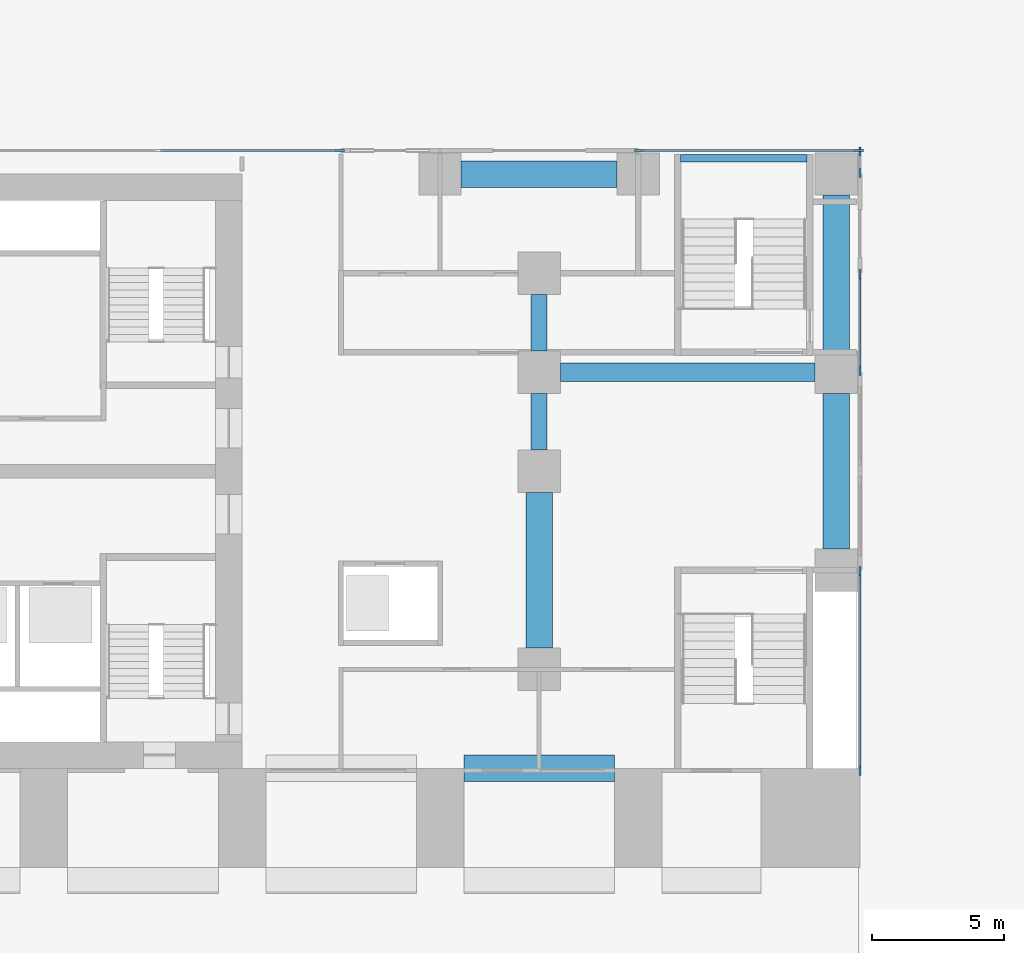
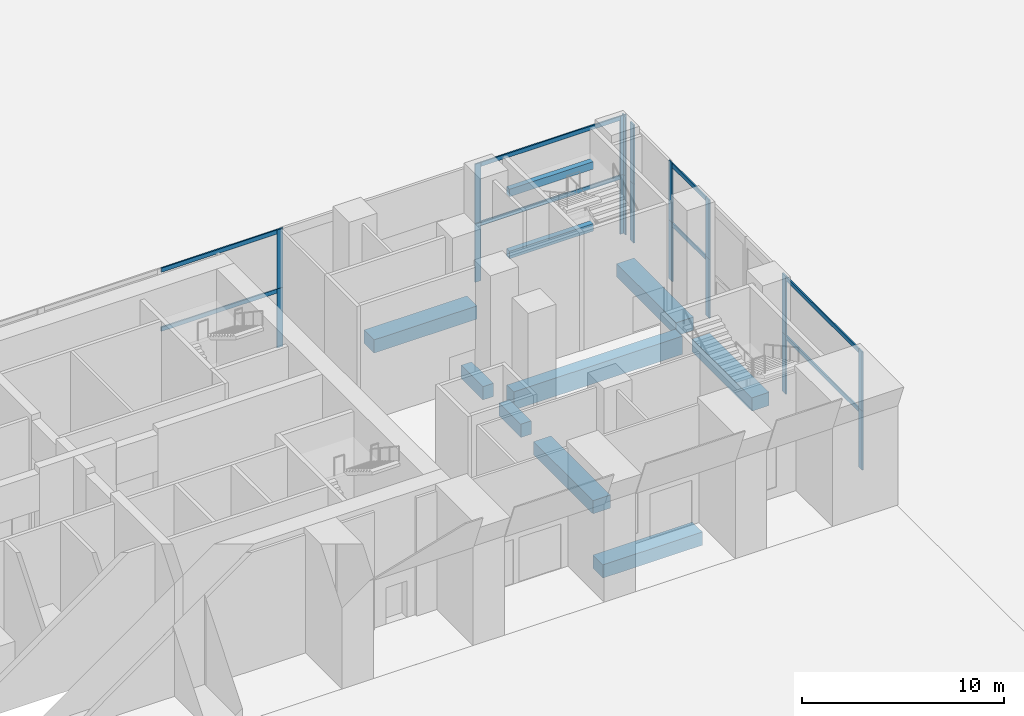
# One storey, part 5 of 21: 26 members, 10 beams, 10 elements without a shape of their own.
"""IFC4 building model written with IfcOpenShell, lengths in metres."""

from ifc_helpers import new_model, si_unit, direction, frame, origin, origin_2d, place, context, subcontext, project, spatial, rectangle, extrude, material, material_profile, profile_set, type_object, element, aggregate, save


model = new_model("IFC4")

# Units and contexts
model_context = context("Model", 3, precision=1e-05, world=origin(), true_north=direction((0.0, 1.0)))
body_context = subcontext(model_context, "Body", "Model", "MODEL_VIEW")
ifc_project = project(units=[si_unit("LENGTHUNIT", "METRE"), si_unit("AREAUNIT", "SQUARE_METRE"), si_unit("VOLUMEUNIT", "CUBIC_METRE"), si_unit("PLANEANGLEUNIT", "RADIAN"), si_unit("MASSUNIT", "GRAM", prefix="KILO")], contexts=[model_context])

# Site, building, storey
site_placement = place(None, origin())
site = spatial("IfcSite", under=ifc_project, at=site_placement, CompositionType="ELEMENT")
building_placement = place(site_placement, origin())
building = spatial("IfcBuilding", under=site, at=building_placement, Name="Pilkhan Gate Tower", CompositionType="ELEMENT")
storey_placement = place(building_placement, origin())
storey = spatial("IfcBuildingStorey", under=building, at=storey_placement, Name="L00", CompositionType="ELEMENT", Elevation=0.0)

# Beams
ifc_material_1 = material(Name="Concrete C50/60", Category="concrete")
ifc_material_profile_1 = material_profile(ifc_material_1, rectangle(XDim=0.300048828125, YDim=0.449951171875, at=origin_2d()), Name="RC 300x450")
ifc_profile_set_1 = profile_set([ifc_material_profile_1], Name="Concrete C50/60")
beam_type_1 = type_object("IfcBeamType", Name="Landing support beam LB RC 300x450 C50/60", PredefinedType="BEAM", material=ifc_profile_set_1)
for number, where, z_axis, x_axis, name in (
    (1, (106.60498046875, 94.35009765625, 1.300048828125), (1.0, 0.0, 0.0), (0.0, 1.0, 0.0), "Landing support beam PS2-1 L00"),
    (2, (106.60498046875, 94.35009765625, 5.050048828125), (1.0, 0.0, 0.0), (0.0, 1.0, 0.0), "Landing support beam PS2-3 L00"),
):
    element("IfcBeam", number, at=place(storey_placement, frame(where, z_axis=z_axis, x_axis=x_axis)), inside=storey, type_object=beam_type_1, Name=name, PredefinedType="BEAM", context=body_context, shape_type="SweptSolid", body=[
        extrude(rectangle(XDim=0.300048828125, YDim=0.449951171875, at=origin_2d()), origin(), (0.0, 0.0, 1.0), 4.7900390625),
    ])

# Curtain wall, members
ifc_material_2 = material(Name="Pale anodised aluminium, clear low-iron laminated glazing", Category="aluminium")
curtain_wall_type = type_object("IfcCurtainWallType", Name="Podium unitised curtain wall CW-P", PredefinedType="USERDEFINED", material=ifc_material_2)
curtain_wall_1_placement = place(storey_placement, origin())
curtain_wall_1 = element("IfcCurtainWall", 3, at=curtain_wall_1_placement, inside=storey, type_object=curtain_wall_type, Name="Podium unitised curtain wall CW-P L00 E", ObjectType="UNITISED CURTAIN WALL", PredefinedType="USERDEFINED")
ifc_material_3 = material(Name="Pale anodised aluminium", Category="aluminium")
ifc_material_profile_2 = material_profile(ifc_material_3, rectangle(XDim=0.080078125, YDim=0.35009765625, at=origin_2d()), Name="Mullion 350x80")
ifc_profile_set_2 = profile_set([ifc_material_profile_2], Name="Pale anodised aluminium")
member_type_1 = type_object("IfcMemberType", Name="Mullion CW-P 350x80", PredefinedType="MULLION", material=ifc_profile_set_2)
member_1_placement = place(storey_placement, frame((113.39501953125, 71.14501953125, 0.0), z_axis=(0.0, 0.0, 1.0), x_axis=(-1.0, 0.0, 0.0)))
member_1 = element("IfcMember", 4, at=member_1_placement, type_object=member_type_1, Name="CW-P mullion 1", PredefinedType="MULLION", context=body_context, shape_type="SweptSolid", body=[
    extrude(rectangle(XDim=0.080078125, YDim=0.35009765625, at=origin_2d()), origin(), (0.0, 0.0, 1.0), 3.574951171875),
])
member_2_placement = place(storey_placement, frame((113.39501953125, 78.7099609375, 0.0), z_axis=(0.0, 0.0, 1.0), x_axis=(-1.0, 0.0, 0.0)))
member_2 = element("IfcMember", 5, at=member_2_placement, type_object=member_type_1, Name="CW-P mullion 2", PredefinedType="MULLION", context=body_context, shape_type="SweptSolid", body=[
    extrude(rectangle(XDim=0.080078125, YDim=0.35009765625, at=origin_2d()), origin(), (0.0, 0.0, 1.0), 3.574951171875),
])

curtain_wall_2_placement = place(storey_placement, origin())
curtain_wall_2 = element("IfcCurtainWall", 6, at=curtain_wall_2_placement, inside=storey, type_object=curtain_wall_type, Name="Podium unitised curtain wall CW-P L00 E", ObjectType="UNITISED CURTAIN WALL", PredefinedType="USERDEFINED")
member_3_placement = place(storey_placement, frame((113.39501953125, 71.14501953125, 3.574951171875), z_axis=(0.0, 0.0, 1.0), x_axis=(-1.0, 0.0, 0.0)))
member_3 = element("IfcMember", 7, at=member_3_placement, type_object=member_type_1, Name="CW-P mullion 1", PredefinedType="MULLION", context=body_context, shape_type="SweptSolid", body=[
    extrude(rectangle(XDim=0.080078125, YDim=0.35009765625, at=origin_2d()), origin(), (0.0, 0.0, 1.0), 3.574951171875),
])
member_4_placement = place(storey_placement, frame((113.39501953125, 78.7099609375, 3.574951171875), z_axis=(0.0, 0.0, 1.0), x_axis=(-1.0, 0.0, 0.0)))
member_4 = element("IfcMember", 8, at=member_4_placement, type_object=member_type_1, Name="CW-P mullion 2", PredefinedType="MULLION", context=body_context, shape_type="SweptSolid", body=[
    extrude(rectangle(XDim=0.080078125, YDim=0.35009765625, at=origin_2d()), origin(), (0.0, 0.0, 1.0), 3.574951171875),
])

curtain_wall_3_placement = place(storey_placement, origin())
curtain_wall_3 = element("IfcCurtainWall", 9, at=curtain_wall_3_placement, inside=storey, type_object=curtain_wall_type, Name="Podium unitised curtain wall CW-P L00 E", ObjectType="UNITISED CURTAIN WALL", PredefinedType="USERDEFINED")
member_5_placement = place(storey_placement, frame((113.39501953125, 86.2900390625, 0.0), z_axis=(0.0, 0.0, 1.0), x_axis=(-1.0, 0.0, 0.0)))
member_5 = element("IfcMember", 10, at=member_5_placement, type_object=member_type_1, Name="CW-P mullion 1", PredefinedType="MULLION", context=body_context, shape_type="SweptSolid", body=[
    extrude(rectangle(XDim=0.080078125, YDim=0.35009765625, at=origin_2d()), origin(), (0.0, 0.0, 1.0), 3.574951171875),
])
member_6_placement = place(storey_placement, frame((113.39501953125, 89.9599609375, 0.0), z_axis=(0.0, 0.0, 1.0), x_axis=(-1.0, 0.0, 0.0)))
member_6 = element("IfcMember", 11, at=member_6_placement, type_object=member_type_1, Name="CW-P mullion 2", PredefinedType="MULLION", context=body_context, shape_type="SweptSolid", body=[
    extrude(rectangle(XDim=0.080078125, YDim=0.35009765625, at=origin_2d()), origin(), (0.0, 0.0, 1.0), 3.574951171875),
])

curtain_wall_4_placement = place(storey_placement, origin())
curtain_wall_4 = element("IfcCurtainWall", 12, at=curtain_wall_4_placement, inside=storey, type_object=curtain_wall_type, Name="Podium unitised curtain wall CW-P L00 E", ObjectType="UNITISED CURTAIN WALL", PredefinedType="USERDEFINED")
member_7_placement = place(storey_placement, frame((113.39501953125, 86.2900390625, 3.574951171875), z_axis=(0.0, 0.0, 1.0), x_axis=(-1.0, 0.0, 0.0)))
member_7 = element("IfcMember", 13, at=member_7_placement, type_object=member_type_1, Name="CW-P mullion 1", PredefinedType="MULLION", context=body_context, shape_type="SweptSolid", body=[
    extrude(rectangle(XDim=0.080078125, YDim=0.35009765625, at=origin_2d()), origin(), (0.0, 0.0, 1.0), 3.574951171875),
])
member_8_placement = place(storey_placement, frame((113.39501953125, 89.9599609375, 3.574951171875), z_axis=(0.0, 0.0, 1.0), x_axis=(-1.0, 0.0, 0.0)))
member_8 = element("IfcMember", 14, at=member_8_placement, type_object=member_type_1, Name="CW-P mullion 2", PredefinedType="MULLION", context=body_context, shape_type="SweptSolid", body=[
    extrude(rectangle(XDim=0.080078125, YDim=0.35009765625, at=origin_2d()), origin(), (0.0, 0.0, 1.0), 3.574951171875),
])

curtain_wall_5_placement = place(storey_placement, origin())
curtain_wall_5 = element("IfcCurtainWall", 15, at=curtain_wall_5_placement, inside=storey, type_object=curtain_wall_type, Name="Podium unitised curtain wall CW-P L00 E", ObjectType="UNITISED CURTAIN WALL", PredefinedType="USERDEFINED")
member_9_placement = place(storey_placement, frame((113.39501953125, 93.7900390625, 0.0), z_axis=(0.0, 0.0, 1.0), x_axis=(-1.0, 0.0, 0.0)))
member_9 = element("IfcMember", 16, at=member_9_placement, type_object=member_type_1, Name="CW-P mullion 1", PredefinedType="MULLION", context=body_context, shape_type="SweptSolid", body=[
    extrude(rectangle(XDim=0.080078125, YDim=0.35009765625, at=origin_2d()), origin(), (0.0, 0.0, 1.0), 3.574951171875),
])
member_10_placement = place(storey_placement, frame((113.39501953125, 94.60498046875, 0.0), z_axis=(0.0, 0.0, 1.0), x_axis=(-1.0, 0.0, 0.0)))
member_10 = element("IfcMember", 17, at=member_10_placement, type_object=member_type_1, Name="CW-P mullion 2", PredefinedType="MULLION", context=body_context, shape_type="SweptSolid", body=[
    extrude(rectangle(XDim=0.080078125, YDim=0.35009765625, at=origin_2d()), origin(), (0.0, 0.0, 1.0), 3.574951171875),
])
aggregate(curtain_wall_5, [member_9, member_10])

curtain_wall_6_placement = place(storey_placement, origin())
curtain_wall_6 = element("IfcCurtainWall", 18, at=curtain_wall_6_placement, inside=storey, type_object=curtain_wall_type, Name="Podium unitised curtain wall CW-P L00 E", ObjectType="UNITISED CURTAIN WALL", PredefinedType="USERDEFINED")
member_11_placement = place(storey_placement, frame((113.39501953125, 93.7900390625, 3.574951171875), z_axis=(0.0, 0.0, 1.0), x_axis=(-1.0, 0.0, 0.0)))
member_11 = element("IfcMember", 19, at=member_11_placement, type_object=member_type_1, Name="CW-P mullion 1", PredefinedType="MULLION", context=body_context, shape_type="SweptSolid", body=[
    extrude(rectangle(XDim=0.080078125, YDim=0.35009765625, at=origin_2d()), origin(), (0.0, 0.0, 1.0), 3.574951171875),
])
member_12_placement = place(storey_placement, frame((113.39501953125, 94.60498046875, 3.574951171875), z_axis=(0.0, 0.0, 1.0), x_axis=(-1.0, 0.0, 0.0)))
member_12 = element("IfcMember", 20, at=member_12_placement, type_object=member_type_1, Name="CW-P mullion 2", PredefinedType="MULLION", context=body_context, shape_type="SweptSolid", body=[
    extrude(rectangle(XDim=0.080078125, YDim=0.35009765625, at=origin_2d()), origin(), (0.0, 0.0, 1.0), 3.574951171875),
])
aggregate(curtain_wall_6, [member_11, member_12])

# Curtain wall, member
curtain_wall_7_placement = place(storey_placement, origin())
curtain_wall_7 = element("IfcCurtainWall", 21, at=curtain_wall_7_placement, inside=storey, type_object=curtain_wall_type, Name="Podium unitised curtain wall CW-P L00 N", ObjectType="UNITISED CURTAIN WALL", PredefinedType="USERDEFINED")
member_13_placement = place(storey_placement, frame((93.7099609375, 94.64501953125, 0.0), z_axis=(0.0, 0.0, 1.0), x_axis=(0.0, 1.0, 0.0)))
member_13 = element("IfcMember", 22, at=member_13_placement, type_object=member_type_1, Name="CW-P mullion 3", PredefinedType="MULLION", context=body_context, shape_type="SweptSolid", body=[
    extrude(rectangle(XDim=0.080078125, YDim=0.35009765625, at=origin_2d()), origin(), (0.0, 0.0, 1.0), 3.574951171875),
])

curtain_wall_8_placement = place(storey_placement, origin())
curtain_wall_8 = element("IfcCurtainWall", 23, at=curtain_wall_8_placement, inside=storey, type_object=curtain_wall_type, Name="Podium unitised curtain wall CW-P L00 N", ObjectType="UNITISED CURTAIN WALL", PredefinedType="USERDEFINED")
member_14_placement = place(storey_placement, frame((93.7099609375, 94.64501953125, 3.574951171875), z_axis=(0.0, 0.0, 1.0), x_axis=(0.0, 1.0, 0.0)))
member_14 = element("IfcMember", 24, at=member_14_placement, type_object=member_type_1, Name="CW-P mullion 3", PredefinedType="MULLION", context=body_context, shape_type="SweptSolid", body=[
    extrude(rectangle(XDim=0.080078125, YDim=0.35009765625, at=origin_2d()), origin(), (0.0, 0.0, 1.0), 3.574951171875),
])

# Curtain wall, members
curtain_wall_9_placement = place(storey_placement, origin())
curtain_wall_9 = element("IfcCurtainWall", 25, at=curtain_wall_9_placement, inside=storey, type_object=curtain_wall_type, Name="Podium unitised curtain wall CW-P L00 N", ObjectType="UNITISED CURTAIN WALL", PredefinedType="USERDEFINED")
member_15_placement = place(storey_placement, frame((105.0400390625, 94.64501953125, 0.0), z_axis=(0.0, 0.0, 1.0), x_axis=(0.0, 1.0, 0.0)))
member_15 = element("IfcMember", 26, at=member_15_placement, type_object=member_type_1, Name="CW-P mullion 1", PredefinedType="MULLION", context=body_context, shape_type="SweptSolid", body=[
    extrude(rectangle(XDim=0.080078125, YDim=0.35009765625, at=origin_2d()), origin(), (0.0, 0.0, 1.0), 3.574951171875),
])
member_16_placement = place(storey_placement, frame((113.35498046875, 94.64501953125, 0.0), z_axis=(0.0, 0.0, 1.0), x_axis=(0.0, 1.0, 0.0)))
member_16 = element("IfcMember", 27, at=member_16_placement, type_object=member_type_1, Name="CW-P mullion 2", PredefinedType="MULLION", context=body_context, shape_type="SweptSolid", body=[
    extrude(rectangle(XDim=0.080078125, YDim=0.35009765625, at=origin_2d()), origin(), (0.0, 0.0, 1.0), 3.574951171875),
])

curtain_wall_10_placement = place(storey_placement, origin())
curtain_wall_10 = element("IfcCurtainWall", 28, at=curtain_wall_10_placement, inside=storey, type_object=curtain_wall_type, Name="Podium unitised curtain wall CW-P L00 N", ObjectType="UNITISED CURTAIN WALL", PredefinedType="USERDEFINED")
member_17_placement = place(storey_placement, frame((105.0400390625, 94.64501953125, 3.574951171875), z_axis=(0.0, 0.0, 1.0), x_axis=(0.0, 1.0, 0.0)))
member_17 = element("IfcMember", 29, at=member_17_placement, type_object=member_type_1, Name="CW-P mullion 1", PredefinedType="MULLION", context=body_context, shape_type="SweptSolid", body=[
    extrude(rectangle(XDim=0.080078125, YDim=0.35009765625, at=origin_2d()), origin(), (0.0, 0.0, 1.0), 3.574951171875),
])
member_18_placement = place(storey_placement, frame((113.35498046875, 94.64501953125, 3.574951171875), z_axis=(0.0, 0.0, 1.0), x_axis=(0.0, 1.0, 0.0)))
member_18 = element("IfcMember", 30, at=member_18_placement, type_object=member_type_1, Name="CW-P mullion 2", PredefinedType="MULLION", context=body_context, shape_type="SweptSolid", body=[
    extrude(rectangle(XDim=0.080078125, YDim=0.35009765625, at=origin_2d()), origin(), (0.0, 0.0, 1.0), 3.574951171875),
])

# Beams
ifc_material_profile_3 = material_profile(ifc_material_1, rectangle(XDim=0.699951171875, YDim=1.10009765625, at=origin_2d()), Name="RC 700x1100")
ifc_profile_set_3 = profile_set([ifc_material_profile_3], Name="Concrete C50/60")
beam_type_2 = type_object("IfcBeamType", Name="Podium girder PG110 RC 700x1100 C50/60", PredefinedType="BEAM", material=ifc_profile_set_3)
beam_1_placement = place(storey_placement, frame((102.050048828125, 86.25, -0.89990234375), z_axis=(1.0, 0.0, 0.0), x_axis=(0.0, 1.0, 0.0)))
element("IfcBeam", 31, at=beam_1_placement, inside=storey, type_object=beam_type_2, Name="Podium beam 16 L00", PredefinedType="BEAM", context=body_context, shape_type="SweptSolid", body=[
    extrude(rectangle(XDim=0.699951171875, YDim=1.10009765625, at=origin_2d()), origin(), (0.0, 0.0, 1.0), 9.64990234375),
])
ifc_material_profile_4 = material_profile(ifc_material_1, rectangle(XDim=1.0, YDim=0.800048828125, at=origin_2d()), Name="RC 1000x800")
ifc_profile_set_4 = profile_set([ifc_material_profile_4], Name="Concrete C50/60")
beam_type_3 = type_object("IfcBeamType", Name="Podium joist PJ80 RC 1000x800 C50/60", PredefinedType="JOIST", material=ifc_profile_set_4)
beam_2_placement = place(storey_placement, frame((98.39990234375, 71.25, -0.75), z_axis=(1.0, 0.0, 0.0), x_axis=(0.0, 1.0, 0.0)))
element("IfcBeam", 32, at=beam_2_placement, inside=storey, type_object=beam_type_3, Name="Podium beam 11 L00", PredefinedType="JOIST", context=body_context, shape_type="SweptSolid", body=[
    extrude(rectangle(XDim=1.0, YDim=0.800048828125, at=origin_2d()), origin(), (0.0, 0.0, 1.0), 5.7001953125),
])
for number, where, z_axis, x_axis, name in (
    (33, (98.300048828125, 93.75, -0.75), (1.0, 0.0, 0.0), (0.0, 1.0, 0.0), "Podium beam 12 L00"),
    (34, (101.25, 75.800048828125, -0.75), (0.0, 1.0, 0.0), (-1.0, 0.0, 0.0), "Podium beam 13 L00"),
    (35, (112.5, 79.550048828125, -0.75), (0.0, 1.0, 0.0), (-1.0, 0.0, 0.0), "Podium beam 17 L00"),
    (36, (112.5, 87.050048828125, -0.75), (0.0, 1.0, 0.0), (-1.0, 0.0, 0.0), "Podium beam 18 L00"),
):
    element("IfcBeam", number, at=place(storey_placement, frame(where, z_axis=z_axis, x_axis=x_axis)), inside=storey, type_object=beam_type_3, Name=name, PredefinedType="JOIST", context=body_context, shape_type="SweptSolid", body=[
        extrude(rectangle(XDim=1.0, YDim=0.800048828125, at=origin_2d()), origin(), (0.0, 0.0, 1.0), 5.89990234375),
    ])
ifc_material_profile_5 = material_profile(ifc_material_1, rectangle(XDim=0.60009765625, YDim=0.800048828125, at=origin_2d()), Name="RC 600x800")
ifc_profile_set_5 = profile_set([ifc_material_profile_5], Name="Concrete C50/60")
beam_type_4 = type_object("IfcBeamType", Name="Podium joist PJ81 RC 600x800 C50/60", PredefinedType="JOIST", material=ifc_profile_set_5)
for number, where, z_axis, x_axis, name in (
    (37, (101.25, 83.300048828125, -0.75), (0.0, 1.0, 0.0), (-1.0, 0.0, 0.0), "Podium beam 14 L00"),
    (38, (101.25, 87.050048828125, -0.75), (0.0, 1.0, 0.0), (-1.0, 0.0, 0.0), "Podium beam 15 L00"),
):
    element("IfcBeam", number, at=place(storey_placement, frame(where, z_axis=z_axis, x_axis=x_axis)), inside=storey, type_object=beam_type_4, Name=name, PredefinedType="JOIST", context=body_context, shape_type="SweptSolid", body=[
        extrude(rectangle(XDim=0.60009765625, YDim=0.800048828125, at=origin_2d()), origin(), (0.0, 0.0, 1.0), 2.14990234375),
    ])

# Member
ifc_material_profile_6 = material_profile(ifc_material_3, rectangle(XDim=0.080078125, YDim=0.25, at=origin_2d()), Name="Transom 250x80")
ifc_profile_set_6 = profile_set([ifc_material_profile_6], Name="Pale anodised aluminium")
member_type_2 = type_object("IfcMemberType", Name="Transom CW-P 250x80", PredefinedType="USERDEFINED", material=ifc_profile_set_6)
member_19_placement = place(storey_placement, frame((113.39501953125, 71.18505859375, 3.449951171875), z_axis=(0.0, 1.0, 0.0), x_axis=(-1.0, 0.0, 0.0)))
member_19 = element("IfcMember", 39, at=member_19_placement, type_object=member_type_2, Name="CW-P transom 1", ObjectType="TRANSOM", PredefinedType="USERDEFINED", context=body_context, shape_type="SweptSolid", body=[
    extrude(rectangle(XDim=0.080078125, YDim=0.25, at=origin_2d()), origin(), (0.0, 0.0, 1.0), 7.48486328125),
])

aggregate(curtain_wall_1, [member_1, member_2, member_19])

member_20_placement = place(storey_placement, frame((113.39501953125, 71.18505859375, 7.02490234375), z_axis=(0.0, 1.0, 0.0), x_axis=(-1.0, 0.0, 0.0)))
member_20 = element("IfcMember", 40, at=member_20_placement, type_object=member_type_2, Name="CW-P transom 1", ObjectType="TRANSOM", PredefinedType="USERDEFINED", context=body_context, shape_type="SweptSolid", body=[
    extrude(rectangle(XDim=0.080078125, YDim=0.25, at=origin_2d()), origin(), (0.0, 0.0, 1.0), 7.48486328125),
])

aggregate(curtain_wall_2, [member_3, member_4, member_20])

member_21_placement = place(storey_placement, frame((113.39501953125, 86.330078125, 3.449951171875), z_axis=(0.0, 1.0, 0.0), x_axis=(-1.0, 0.0, 0.0)))
member_21 = element("IfcMember", 41, at=member_21_placement, type_object=member_type_2, Name="CW-P transom 1", ObjectType="TRANSOM", PredefinedType="USERDEFINED", context=body_context, shape_type="SweptSolid", body=[
    extrude(rectangle(XDim=0.080078125, YDim=0.25, at=origin_2d()), origin(), (0.0, 0.0, 1.0), 3.58984375),
])

aggregate(curtain_wall_3, [member_5, member_6, member_21])

member_22_placement = place(storey_placement, frame((113.39501953125, 86.330078125, 7.02490234375), z_axis=(0.0, 1.0, 0.0), x_axis=(-1.0, 0.0, 0.0)))
member_22 = element("IfcMember", 42, at=member_22_placement, type_object=member_type_2, Name="CW-P transom 1", ObjectType="TRANSOM", PredefinedType="USERDEFINED", context=body_context, shape_type="SweptSolid", body=[
    extrude(rectangle(XDim=0.080078125, YDim=0.25, at=origin_2d()), origin(), (0.0, 0.0, 1.0), 3.58984375),
])

aggregate(curtain_wall_4, [member_7, member_8, member_22])

member_23_placement = place(storey_placement, frame((86.9150390625, 94.64501953125, 3.449951171875), z_axis=(1.0, 0.0, 0.0), x_axis=(0.0, 1.0, 0.0)))
member_23 = element("IfcMember", 43, at=member_23_placement, type_object=member_type_2, Name="CW-P transom 2", ObjectType="TRANSOM", PredefinedType="USERDEFINED", context=body_context, shape_type="SweptSolid", body=[
    extrude(rectangle(XDim=0.080078125, YDim=0.25, at=origin_2d()), origin(), (0.0, 0.0, 1.0), 6.7548828125),
])

aggregate(curtain_wall_7, [member_13, member_23])

member_24_placement = place(storey_placement, frame((86.9150390625, 94.64501953125, 7.02490234375), z_axis=(1.0, 0.0, 0.0), x_axis=(0.0, 1.0, 0.0)))
member_24 = element("IfcMember", 44, at=member_24_placement, type_object=member_type_2, Name="CW-P transom 2", ObjectType="TRANSOM", PredefinedType="USERDEFINED", context=body_context, shape_type="SweptSolid", body=[
    extrude(rectangle(XDim=0.080078125, YDim=0.25, at=origin_2d()), origin(), (0.0, 0.0, 1.0), 6.7548828125),
])

aggregate(curtain_wall_8, [member_14, member_24])

member_25_placement = place(storey_placement, frame((105.080078125, 94.64501953125, 3.449951171875), z_axis=(1.0, 0.0, 0.0), x_axis=(0.0, 1.0, 0.0)))
member_25 = element("IfcMember", 45, at=member_25_placement, type_object=member_type_2, Name="CW-P transom 1", ObjectType="TRANSOM", PredefinedType="USERDEFINED", context=body_context, shape_type="SweptSolid", body=[
    extrude(rectangle(XDim=0.080078125, YDim=0.25, at=origin_2d()), origin(), (0.0, 0.0, 1.0), 8.23486328125),
])

aggregate(curtain_wall_9, [member_15, member_16, member_25])

member_26_placement = place(storey_placement, frame((105.080078125, 94.64501953125, 7.02490234375), z_axis=(1.0, 0.0, 0.0), x_axis=(0.0, 1.0, 0.0)))
member_26 = element("IfcMember", 46, at=member_26_placement, type_object=member_type_2, Name="CW-P transom 1", ObjectType="TRANSOM", PredefinedType="USERDEFINED", context=body_context, shape_type="SweptSolid", body=[
    extrude(rectangle(XDim=0.080078125, YDim=0.25, at=origin_2d()), origin(), (0.0, 0.0, 1.0), 8.23486328125),
])

aggregate(curtain_wall_10, [member_17, member_18, member_26])

save(model, "model.ifc")
